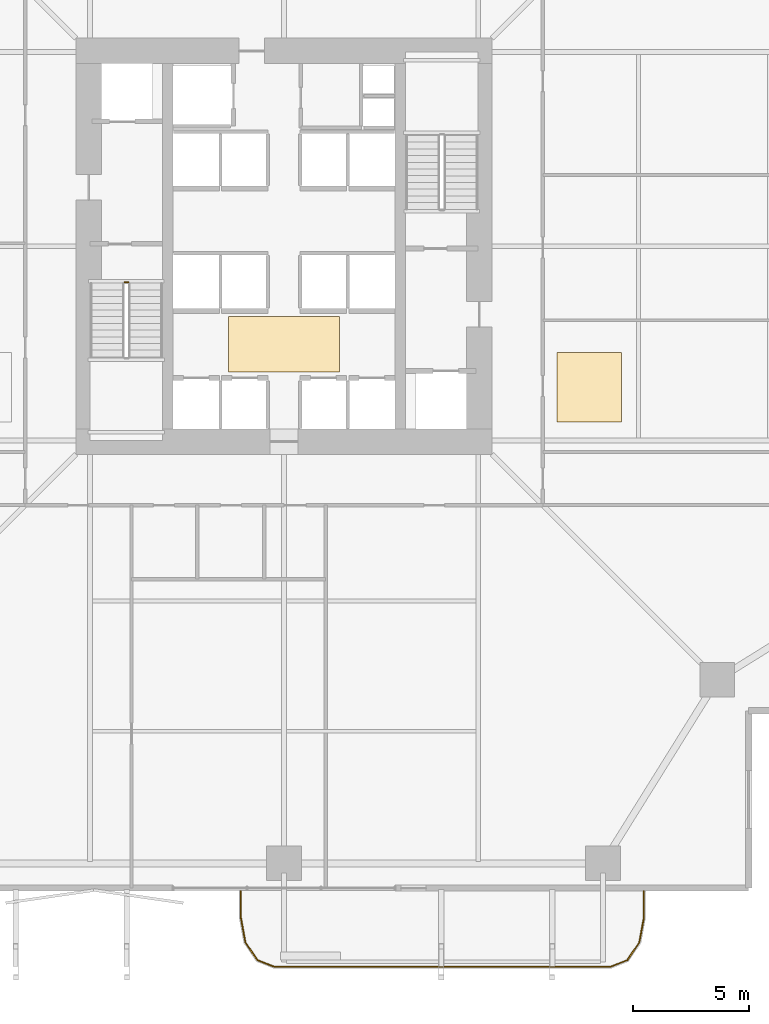
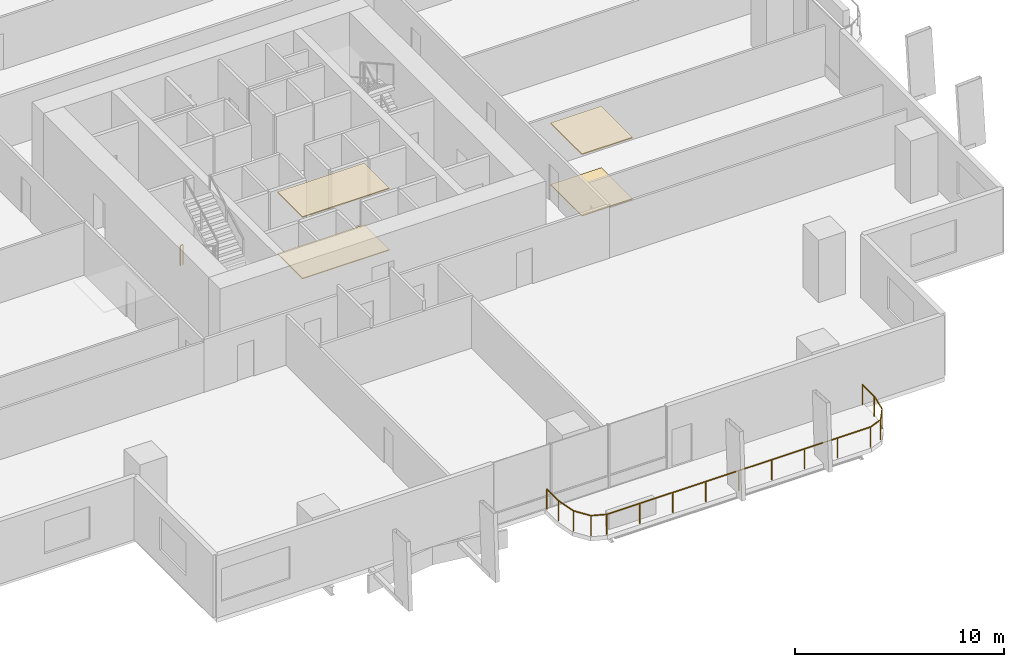
# One storey, part 22 of 24: 4 coverings, 2 railings.
"""IFC4 building model written with IfcOpenShell, lengths in metres."""

from ifc_helpers import new_model, si_unit, direction, frame, origin, origin_2d, place, context, subcontext, project, spatial, polyline, rectangle, outline, extrude, material, layer, layer_set, type_object, element, save


model = new_model("IFC4")

# Units and contexts
model_context = context("Model", 3, precision=1e-05, world=origin(), true_north=direction((0.0, 1.0)))
body_context = subcontext(model_context, "Body", "Model", "MODEL_VIEW")
ifc_project = project(units=[si_unit("LENGTHUNIT", "METRE"), si_unit("AREAUNIT", "SQUARE_METRE"), si_unit("VOLUMEUNIT", "CUBIC_METRE"), si_unit("PLANEANGLEUNIT", "RADIAN"), si_unit("MASSUNIT", "GRAM", prefix="KILO")], contexts=[model_context])

# Site, building, storey
site_placement = place(None, origin())
site = spatial("IfcSite", under=ifc_project, at=site_placement, CompositionType="ELEMENT")
building_placement = place(site_placement, origin())
building = spatial("IfcBuilding", under=site, at=building_placement, Name="Belovzor Exchange Tower", CompositionType="ELEMENT")
storey_placement = place(building_placement, frame((0.0, 0.0, 37.800048828125)))
storey = spatial("IfcBuildingStorey", under=building, at=storey_placement, Name="L08", CompositionType="ELEMENT", Elevation=37.800048828125)

# Railings
ifc_material_1 = material(Name="Stainless Steel and Laminated Safety Glass", Category="steel")
railing_type_1 = type_object("IfcRailingType", Name="Laminated Glass & Stainless Steel Balcony Balustrade 1200", PredefinedType="BALUSTRADE", material=ifc_material_1)
railing_1_placement = place(storey_placement, frame((26.929931640625, 0.889892578125, 0.0)))
element("IfcRailing", 1, at=railing_1_placement, inside=storey, type_object=railing_type_1, Name="GR-1 Balcony Balustrade L08 South", PredefinedType="BALUSTRADE", context=body_context, shape_type="SweptSolid", body=[
    extrude(rectangle(XDim=0.048095703125, YDim=0.048095703125, at=origin_2d()), frame((0.0, 0.0, 1.17578125), z_axis=(0.0, -1.0, 0.0), x_axis=(1.0, 0.0, 0.0)), (0.0, 0.0, 1.0), 1.1328125),
    extrude(rectangle(XDim=0.048095703125, YDim=0.048095703125, at=origin_2d()), frame((0.0, -1.1328125, 1.17578125), z_axis=(0.180083182347, -0.983651385113, 0.0), x_axis=(0.983651385113, 0.180083182347, 0.0)), (0.0, 0.0, 1.0), 1.093994140625),
    extrude(rectangle(XDim=0.048095703125, YDim=0.048095703125, at=origin_2d()), frame((0.197021484375, -2.208984375, 1.17578125), z_axis=(0.56294695933, -0.826493025367, 0.0), x_axis=(0.826493025367, 0.56294695933, 0.0)), (0.0, 0.0, 1.0), 0.932861328125),
    extrude(rectangle(XDim=0.048095703125, YDim=0.048095703125, at=origin_2d()), frame((0.72216796875, -2.97998046875, 1.17578125), z_axis=(0.930766990125, -0.365612923861, 0.0), x_axis=(0.365612923861, 0.930766990125, 0.0)), (0.0, 0.0, 1.0), 0.765869140625),
    extrude(rectangle(XDim=0.048095703125, YDim=0.048095703125, at=origin_2d()), frame((1.43505859375, -3.260009765625, 1.17578125), z_axis=(1.0, 0.0, 0.0), x_axis=(0.0, 1.0, 0.0)), (0.0, 0.0, 1.0), 14.570068359375),
    extrude(rectangle(XDim=0.048095703125, YDim=0.048095703125, at=origin_2d()), frame((16.005126953125, -3.260009765625, 1.17578125), z_axis=(0.930766990125, 0.365612923861, 0.0), x_axis=(-0.365612923861, 0.930766990125, 0.0)), (0.0, 0.0, 1.0), 0.765869140625),
    extrude(rectangle(XDim=0.048095703125, YDim=0.048095703125, at=origin_2d()), frame((16.718017578125, -2.97998046875, 1.17578125), z_axis=(0.56294695933, 0.826493025367, 0.0), x_axis=(-0.826493025367, 0.56294695933, 0.0)), (0.0, 0.0, 1.0), 0.932861328125),
    extrude(rectangle(XDim=0.048095703125, YDim=0.048095703125, at=origin_2d()), frame((17.2431640625, -2.208984375, 1.17578125), z_axis=(0.180083182347, 0.983651385113, 0.0), x_axis=(-0.983651385113, 0.180083182347, 0.0)), (0.0, 0.0, 1.0), 1.093994140625),
    extrude(rectangle(XDim=0.048095703125, YDim=0.048095703125, at=origin_2d()), frame((17.440185546875, -1.1328125, 1.17578125), z_axis=(0.0, 1.0, 0.0), x_axis=(-1.0, 0.0, 0.0)), (0.0, 0.0, 1.0), 1.1328125),
    extrude(rectangle(XDim=0.0419921875, YDim=0.0419921875, at=origin_2d()), origin(), (0.0, 0.0, 1.0), 1.15185546875),
    extrude(rectangle(XDim=0.0419921875, YDim=0.0419921875, at=origin_2d()), frame((0.0, -1.1328125, 0.0)), (0.0, 0.0, 1.0), 1.15185546875),
    extrude(rectangle(XDim=0.0419921875, YDim=0.0419921875, at=origin_2d()), frame((0.197021484375, -2.208984375, 0.0)), (0.0, 0.0, 1.0), 1.15185546875),
    extrude(rectangle(XDim=0.0419921875, YDim=0.0419921875, at=origin_2d()), frame((0.72216796875, -2.97998046875, 0.0)), (0.0, 0.0, 1.0), 1.15185546875),
    extrude(rectangle(XDim=0.0419921875, YDim=0.0419921875, at=origin_2d()), frame((1.43505859375, -3.260009765625, 0.0)), (0.0, 0.0, 1.0), 1.15185546875),
    extrude(rectangle(XDim=0.0419921875, YDim=0.0419921875, at=origin_2d()), frame((3.25634765625, -3.260009765625, 0.0)), (0.0, 0.0, 1.0), 1.15185546875),
    extrude(rectangle(XDim=0.0419921875, YDim=0.0419921875, at=origin_2d()), frame((5.07763671875, -3.260009765625, 0.0)), (0.0, 0.0, 1.0), 1.15185546875),
    extrude(rectangle(XDim=0.0419921875, YDim=0.0419921875, at=origin_2d()), frame((6.89892578125, -3.260009765625, 0.0)), (0.0, 0.0, 1.0), 1.15185546875),
    extrude(rectangle(XDim=0.0419921875, YDim=0.0419921875, at=origin_2d()), frame((8.72021484375, -3.260009765625, 0.0)), (0.0, 0.0, 1.0), 1.15185546875),
    extrude(rectangle(XDim=0.0419921875, YDim=0.0419921875, at=origin_2d()), frame((10.541259765625, -3.260009765625, 0.0)), (0.0, 0.0, 1.0), 1.15185546875),
    extrude(rectangle(XDim=0.0419921875, YDim=0.0419921875, at=origin_2d()), frame((12.362548828125, -3.260009765625, 0.0)), (0.0, 0.0, 1.0), 1.15185546875),
    extrude(rectangle(XDim=0.0419921875, YDim=0.0419921875, at=origin_2d()), frame((14.183837890625, -3.260009765625, 0.0)), (0.0, 0.0, 1.0), 1.15185546875),
    extrude(rectangle(XDim=0.0419921875, YDim=0.0419921875, at=origin_2d()), frame((16.005126953125, -3.260009765625, 0.0)), (0.0, 0.0, 1.0), 1.15185546875),
    extrude(rectangle(XDim=0.0419921875, YDim=0.0419921875, at=origin_2d()), frame((16.718017578125, -2.97998046875, 0.0)), (0.0, 0.0, 1.0), 1.15185546875),
    extrude(rectangle(XDim=0.0419921875, YDim=0.0419921875, at=origin_2d()), frame((17.2431640625, -2.208984375, 0.0)), (0.0, 0.0, 1.0), 1.15185546875),
    extrude(rectangle(XDim=0.0419921875, YDim=0.0419921875, at=origin_2d()), frame((17.440185546875, -1.1328125, 0.0)), (0.0, 0.0, 1.0), 1.15185546875),
    extrude(rectangle(XDim=0.0419921875, YDim=0.0419921875, at=origin_2d()), frame((17.440185546875, 0.0, 0.0)), (0.0, 0.0, 1.0), 1.15185546875),
])
ifc_material_2 = material(Name="Steel S355", Category="steel")
railing_type_2 = type_object("IfcRailingType", Name="Painted Steel Stairwell Guardrail 1200", PredefinedType="GUARDRAIL", material=ifc_material_2)
railing_2_placement = place(storey_placement, frame((21.89990234375, 27.25, 0.0)))
element("IfcRailing", 2, at=railing_2_placement, inside=storey, type_object=railing_type_2, Name="L08 ST-1 stair guard 4", PredefinedType="GUARDRAIL", context=body_context, shape_type="SweptSolid", body=[
    extrude(rectangle(XDim=0.048095703125, YDim=0.048095703125, at=origin_2d()), frame((0.0, 0.0, 1.17578125), z_axis=(1.0, 0.0, 0.0), x_axis=(0.0, 1.0, 0.0)), (0.0, 0.0, 1.0), 0.150146484375),
    extrude(rectangle(XDim=0.0419921875, YDim=0.0419921875, at=origin_2d()), origin(), (0.0, 0.0, 1.0), 1.15185546875),
    extrude(rectangle(XDim=0.0419921875, YDim=0.0419921875, at=origin_2d()), frame((0.150146484375, 0.0, 0.0)), (0.0, 0.0, 1.0), 1.15185546875),
])

# Coverings
ifc_material_3 = material(Name="Perforated Powder-Coated Aluminium", Category="aluminium")
ifc_layer_1 = layer(ifc_material_3, 0.06005859375)
ifc_layer_set_1 = layer_set([ifc_layer_1], Name="Perforated Powder-Coated Aluminium")
covering_type_1 = type_object("IfcCoveringType", Name="Perforated Acoustic Metal Tile Suspended Ceiling 60", PredefinedType="CEILING", material=ifc_layer_set_1)
covering_1_placement = place(storey_placement, frame((0.0, 0.0, 3.58984375)))
element("IfcCovering", 3, at=covering_1_placement, inside=storey, type_object=covering_type_1, Name="CLG-AC60 Suspended Ceiling CLG-L08-LOB", PredefinedType="CEILING", context=body_context, shape_type="SweptSolid", body=[
    extrude(outline(polyline([(26.39990234375, 23.35009765625), (31.199951171875, 23.35009765625), (31.199951171875, 25.75), (26.39990234375, 25.75), (26.39990234375, 23.35009765625)])), origin(), (0.0, 0.0, 1.0), 0.06005859375),
])
covering_2_placement = place(storey_placement, frame((0.0, 0.0, 3.58984375)))
element("IfcCovering", 4, at=covering_2_placement, inside=storey, type_object=covering_type_1, Name="CLG-AC60 Suspended Ceiling CLG-L08-Z0", PredefinedType="CEILING", context=body_context, shape_type="SweptSolid", body=[
    extrude(outline(polyline([(40.60009765625, 21.199951171875), (43.39990234375, 21.199951171875), (43.39990234375, 24.199951171875), (40.60009765625, 24.199951171875), (40.60009765625, 21.199951171875)])), origin(), (0.0, 0.0, 1.0), 0.06005859375),
])
ifc_material_4 = material(Name="Polished Natural Granite Tile", Category="masonry")
ifc_layer_2 = layer(ifc_material_4, 0.050048828125)
ifc_layer_set_2 = layer_set([ifc_layer_2], Name="Polished Natural Granite Tile")
covering_type_2 = type_object("IfcCoveringType", Name="Polished Karelian Granite & Raised Access Floor Finish 50", PredefinedType="FLOORING", material=ifc_layer_set_2)
covering_3_placement = place(storey_placement, origin())
element("IfcCovering", 5, at=covering_3_placement, inside=storey, type_object=covering_type_2, Name="FLR-GR50 Floor Finish FLR-L08-LOB", PredefinedType="FLOORING", context=body_context, shape_type="SweptSolid", body=[
    extrude(outline(polyline([(26.39990234375, 23.35009765625), (31.199951171875, 23.35009765625), (31.199951171875, 25.75), (26.39990234375, 25.75), (26.39990234375, 23.35009765625)])), origin(), (0.0, 0.0, 1.0), 0.050048828125),
])
covering_4_placement = place(storey_placement, origin())
element("IfcCovering", 6, at=covering_4_placement, inside=storey, type_object=covering_type_2, Name="FLR-GR50 Floor Finish FLR-L08-Z0", PredefinedType="FLOORING", context=body_context, shape_type="SweptSolid", body=[
    extrude(outline(polyline([(40.60009765625, 21.199951171875), (43.39990234375, 21.199951171875), (43.39990234375, 24.199951171875), (40.60009765625, 24.199951171875), (40.60009765625, 21.199951171875)])), origin(), (0.0, 0.0, 1.0), 0.050048828125),
])

save(model, "model.ifc")
